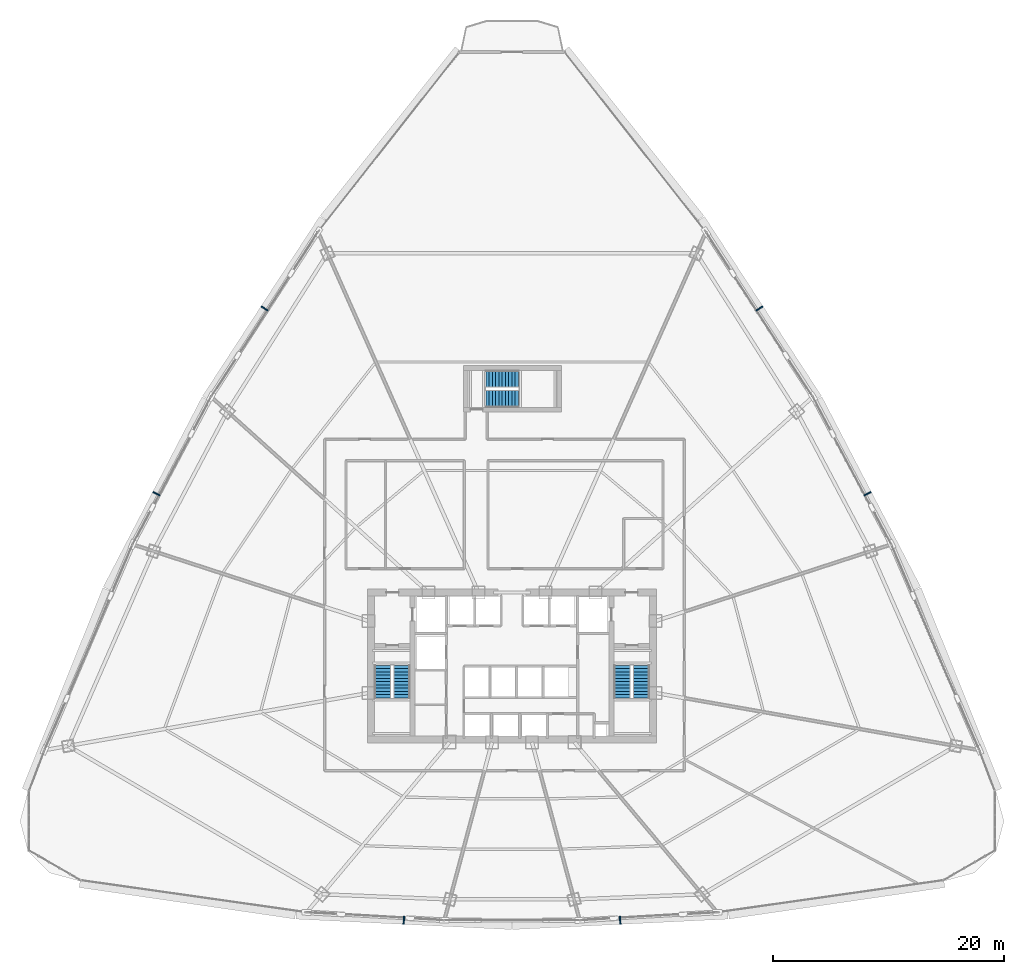
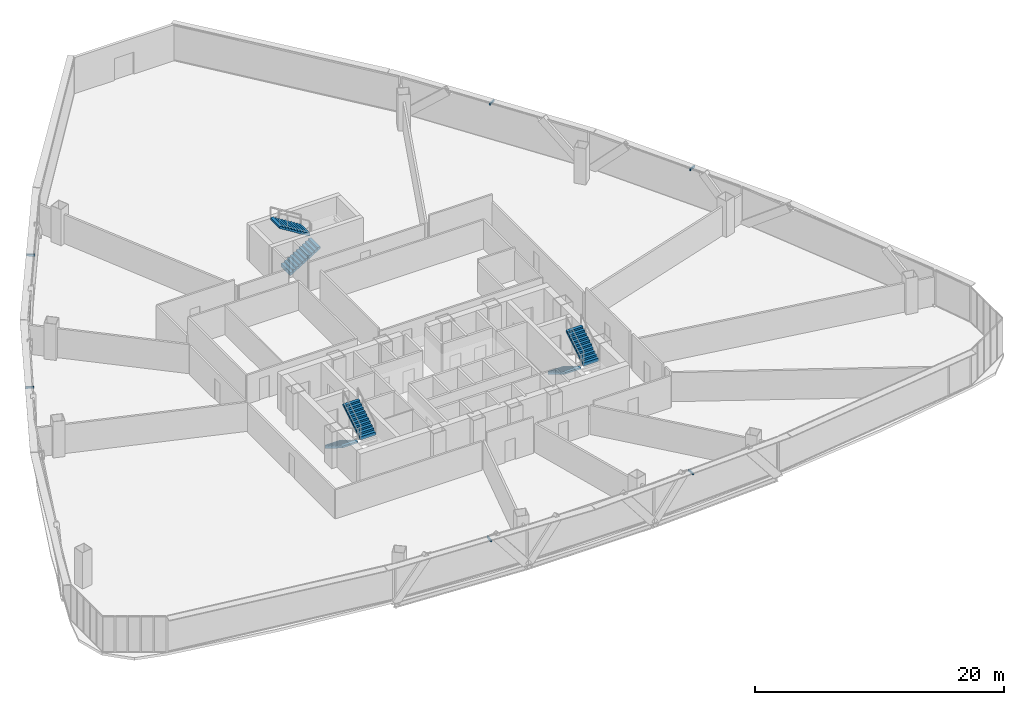
# One storey, part 35 of 39: 6 discrete accessories, 6 stair flights, 3 elements without a shape of their own.
"""IFC4 building model written with IfcOpenShell, lengths in metres."""

from ifc_helpers import new_model, si_unit, direction, frame, origin, origin_2d, place, context, subcontext, project, spatial, polyline, rectangle, outline, extrude, source, transform, mapped, material, type_object, element, aggregate, save


model = new_model("IFC4")

# Units and contexts
model_context = context("Model", 3, precision=1e-05, world=origin(), true_north=direction((0.0, 1.0)))
body_context = subcontext(model_context, "Body", "Model", "MODEL_VIEW")
ifc_project = project(units=[si_unit("LENGTHUNIT", "METRE"), si_unit("AREAUNIT", "SQUARE_METRE"), si_unit("VOLUMEUNIT", "CUBIC_METRE"), si_unit("PLANEANGLEUNIT", "RADIAN"), si_unit("MASSUNIT", "GRAM", prefix="KILO"), si_unit("THERMODYNAMICTEMPERATUREUNIT", "KELVIN"), si_unit("POWERUNIT", "WATT")], contexts=[model_context])

# Site, building, storey
site_placement = place(None, origin())
site = spatial("IfcSite", under=ifc_project, at=site_placement, CompositionType="ELEMENT")
building_placement = place(site_placement, origin())
building = spatial("IfcBuilding", under=site, at=building_placement, Name="Yunzhuo Pagoda Commons", CompositionType="ELEMENT")
storey_placement = place(building_placement, frame((0.0, 0.0, 96.3798828125)))
storey = spatial("IfcBuildingStorey", under=building, at=storey_placement, Name="L24", CompositionType="ELEMENT", Elevation=96.3798828125)

# Stair, stair flights
ifc_material_1 = material(Name="Concrete C40", Category="concrete")
stair_type_1 = type_object("IfcStairType", Name="ST-C1 Core Smokeproof Stair ST1", PredefinedType="HALF_TURN_STAIR", material=ifc_material_1)
stair_1_placement = place(storey_placement, origin())
stair_1 = element("IfcStair", 1, at=stair_1_placement, inside=storey, type_object=stair_type_1, Name="L24 Core smokeproof stair ST1", PredefinedType="HALF_TURN_STAIR")
stair_flight_type_1 = type_object("IfcStairFlightType", Name="STF-C1 Core Stair Flight 1450", PredefinedType="STRAIGHT", material=ifc_material_1)
shared_shape_1 = source(origin(), body_context, "Body", "SweptSolid", [
    extrude(outline(polyline([(0.0, -0.14990234375), (0.0, 0.0), (0.0, 0.172607421875), (0.280029296875, 0.172607421875), (0.280029296875, 0.345458984375), (0.56005859375, 0.345458984375), (0.56005859375, 0.51806640625), (0.840087890625, 0.51806640625), (0.840087890625, 0.69091796875), (1.1201171875, 0.69091796875), (1.1201171875, 0.863525390625), (1.39990234375, 0.863525390625), (1.39990234375, 1.036376953125), (1.679931640625, 1.036376953125), (1.679931640625, 1.208984375), (1.9599609375, 1.208984375), (1.9599609375, 1.3818359375), (2.239990234375, 1.3818359375), (2.239990234375, 1.554443359375), (2.52001953125, 1.554443359375), (2.52001953125, 1.727294921875), (2.800048828125, 1.727294921875), (2.800048828125, 1.89990234375), (2.800048828125, 1.551025390625), (0.285400390625, 0.0), (0.050048828125, -0.14990234375), (0.0, -0.14990234375)])), frame((0.0, 0.72509765625, 0.0), z_axis=(0.0, -1.0, 0.0), x_axis=(1.0, 0.0, 0.0)), (0.0, 0.0, 1.0), 1.449951171875),
])
stair_flight_1_placement = place(storey_placement, frame((36.824951171875, 33.89990234375, 0.0), z_axis=(0.0, 0.0, 1.0), x_axis=(0.0, -1.0, 0.0)))
stair_flight_1 = element("IfcStairFlight", 2, at=stair_flight_1_placement, type_object=stair_flight_type_1, Name="ST1 flight 1", NumberOfRisers=11, NumberOfTreads=10, PredefinedType="STRAIGHT", RiserHeight=0.172727273, TreadLength=0.28, context=body_context, shape_type="MappedRepresentation", body=[
    mapped(shared_shape_1, transform((0.0, 0.0, 0.0), scale=1.0)),
])
stair_flight_2_placement = place(storey_placement, frame((38.47509765625, 31.10009765625, 1.900146484375), z_axis=(0.0, 0.0, 1.0), x_axis=(0.0, 1.0, 0.0)))
stair_flight_2 = element("IfcStairFlight", 3, at=stair_flight_2_placement, type_object=stair_flight_type_1, Name="ST1 flight 2", NumberOfRisers=11, NumberOfTreads=10, PredefinedType="STRAIGHT", RiserHeight=0.172727273, TreadLength=0.28, context=body_context, shape_type="MappedRepresentation", body=[
    mapped(shared_shape_1, transform((0.0, 0.0, 0.0), scale=1.0)),
])
aggregate(stair_1, [stair_flight_1, stair_flight_2])

stair_type_2 = type_object("IfcStairType", Name="ST-C2 Core Smokeproof Stair ST2", PredefinedType="HALF_TURN_STAIR", material=ifc_material_1)
stair_2_placement = place(storey_placement, origin())
stair_2 = element("IfcStair", 4, at=stair_2_placement, inside=storey, type_object=stair_type_2, Name="L24 Core smokeproof stair ST2", PredefinedType="HALF_TURN_STAIR")
stair_flight_type_2 = type_object("IfcStairFlightType", Name="STF-C2 Core Stair Flight 1460", PredefinedType="STRAIGHT", material=ifc_material_1)
stair_flight_3_placement = place(storey_placement, frame((57.52490234375, 33.89990234375, 0.0), z_axis=(0.0, 0.0, 1.0), x_axis=(0.0, -1.0, 0.0)))
stair_flight_3 = element("IfcStairFlight", 5, at=stair_flight_3_placement, type_object=stair_flight_type_2, Name="ST2 flight 1", NumberOfRisers=11, NumberOfTreads=10, PredefinedType="STRAIGHT", RiserHeight=0.172727273, TreadLength=0.28, context=body_context, shape_type="MappedRepresentation", body=[
    mapped(shared_shape_1, transform((0.0, 0.0, 0.0), scale=1.0)),
])
stair_flight_4_placement = place(storey_placement, frame((59.175048828125, 31.10009765625, 1.900146484375), z_axis=(0.0, 0.0, 1.0), x_axis=(0.0, 1.0, 0.0)))
stair_flight_4 = element("IfcStairFlight", 6, at=stair_flight_4_placement, type_object=stair_flight_type_2, Name="ST2 flight 2", NumberOfRisers=11, NumberOfTreads=10, PredefinedType="STRAIGHT", RiserHeight=0.172727273, TreadLength=0.28, context=body_context, shape_type="MappedRepresentation", body=[
    mapped(shared_shape_1, transform((0.0, 0.0, 0.0), scale=1.0)),
])
aggregate(stair_2, [stair_flight_3, stair_flight_4])

stair_type_3 = type_object("IfcStairType", Name="ST-C3 North Tower Smokeproof Stair ST3", PredefinedType="HALF_TURN_STAIR", material=ifc_material_1)
stair_3_placement = place(storey_placement, origin())
stair_3 = element("IfcStair", 7, at=stair_3_placement, inside=storey, type_object=stair_type_3, Name="L24 North tower smokeproof stair ST3", PredefinedType="HALF_TURN_STAIR")
stair_flight_type_3 = type_object("IfcStairFlightType", Name="STF-C3 North Stair Flight 1500", PredefinedType="STRAIGHT", material=ifc_material_1)
shared_shape_2 = source(origin(), body_context, "Body", "SweptSolid", [
    extrude(outline(polyline([(0.0, -0.14990234375), (0.0, 0.0), (0.0, 0.172607421875), (0.280029296875, 0.172607421875), (0.280029296875, 0.345458984375), (0.56005859375, 0.345458984375), (0.56005859375, 0.51806640625), (0.840087890625, 0.51806640625), (0.840087890625, 0.69091796875), (1.1201171875, 0.69091796875), (1.1201171875, 0.863525390625), (1.39990234375, 0.863525390625), (1.39990234375, 1.036376953125), (1.679931640625, 1.036376953125), (1.679931640625, 1.208984375), (1.9599609375, 1.208984375), (1.9599609375, 1.3818359375), (2.239990234375, 1.3818359375), (2.239990234375, 1.554443359375), (2.52001953125, 1.554443359375), (2.52001953125, 1.727294921875), (2.800048828125, 1.727294921875), (2.800048828125, 1.89990234375), (2.800048828125, 1.551025390625), (0.285400390625, 0.0), (0.050048828125, -0.14990234375), (0.0, -0.14990234375)])), frame((0.0, 0.75, 0.0), z_axis=(0.0, -1.0, 0.0), x_axis=(1.0, 0.0, 0.0)), (0.0, 0.0, 1.0), 1.5),
])
stair_flight_5_placement = place(storey_placement, frame((45.75, 56.949951171875, 0.0), z_axis=(0.0, 0.0, 1.0), x_axis=(1.0, 0.0, 0.0)))
stair_flight_5 = element("IfcStairFlight", 8, at=stair_flight_5_placement, type_object=stair_flight_type_3, Name="ST3 flight 1", NumberOfRisers=11, NumberOfTreads=10, PredefinedType="STRAIGHT", RiserHeight=0.172727273, TreadLength=0.28, context=body_context, shape_type="MappedRepresentation", body=[
    mapped(shared_shape_2, transform((0.0, 0.0, 0.0), scale=1.0)),
])
stair_flight_6_placement = place(storey_placement, frame((48.550048828125, 58.64990234375, 1.900146484375), z_axis=(0.0, 0.0, 1.0), x_axis=(-1.0, 0.0, 0.0)))
stair_flight_6 = element("IfcStairFlight", 9, at=stair_flight_6_placement, type_object=stair_flight_type_3, Name="ST3 flight 2", NumberOfRisers=11, NumberOfTreads=10, PredefinedType="STRAIGHT", RiserHeight=0.172727273, TreadLength=0.28, context=body_context, shape_type="MappedRepresentation", body=[
    mapped(shared_shape_2, transform((0.0, 0.0, 0.0), scale=1.0)),
])
aggregate(stair_3, [stair_flight_5, stair_flight_6])

# Discrete accessories
ifc_material_2 = material(Name="Anodized aluminium 6063-T6", Category="aluminium")
discrete_accessory_type = type_object("IfcDiscreteAccessoryType", Name="BK-SUN1 Sunshade Outrigger Bracket", PredefinedType="BRACKET", material=ifc_material_2)
shared_shape_3 = source(origin(), body_context, "Body", "SweptSolid", [
    extrude(rectangle(XDim=0.1201171875, YDim=0.679931640625, at=origin_2d()), origin(), (0.0, 0.0, 1.0), 0.179931640625),
])
for number, where, z_axis, x_axis, name in (
    (10, (38.650146484375, 11.87939453125, 3.330078125), (0.0, 0.0, 1.0), (0.998818043775, -0.04860571396, 0.0), "L24 sunshade outrigger bracket F1.2"),
    (11, (57.349853515625, 11.87939453125, 3.330078125), (0.0, 0.0, 1.0), (0.998818043775, 0.04860571396, 0.0), "L24 sunshade outrigger bracket F1.3"),
    (12, (78.73779296875, 48.7294921875, 3.330078125), (0.0, 0.0, 1.0), (-0.461206683033, 0.88729273384, 0.0), "L24 sunshade outrigger bracket F2.2"),
    (13, (69.3876953125, 64.7470703125, 3.330078125), (0.0, 0.0, 1.0), (-0.545838756973, 0.837890238269, 0.0), "L24 sunshade outrigger bracket F2.3"),
    (14, (26.6123046875, 64.7470703125, 3.330078125), (0.0, 0.0, 1.0), (-0.545838756973, -0.837890238269, 0.0), "L24 sunshade outrigger bracket F3.2"),
    (15, (17.26220703125, 48.7294921875, 3.330078125), (0.0, 0.0, 1.0), (-0.461206683033, -0.88729273384, 0.0), "L24 sunshade outrigger bracket F3.3"),
):
    element("IfcDiscreteAccessory", number, at=place(storey_placement, frame(where, z_axis=z_axis, x_axis=x_axis)), inside=storey, type_object=discrete_accessory_type, Name=name, PredefinedType="BRACKET", context=body_context, shape_type="MappedRepresentation", body=[
        mapped(shared_shape_3, transform((0.0, 0.0, 0.0), scale=1.0)),
    ])

save(model, "model.ifc")
